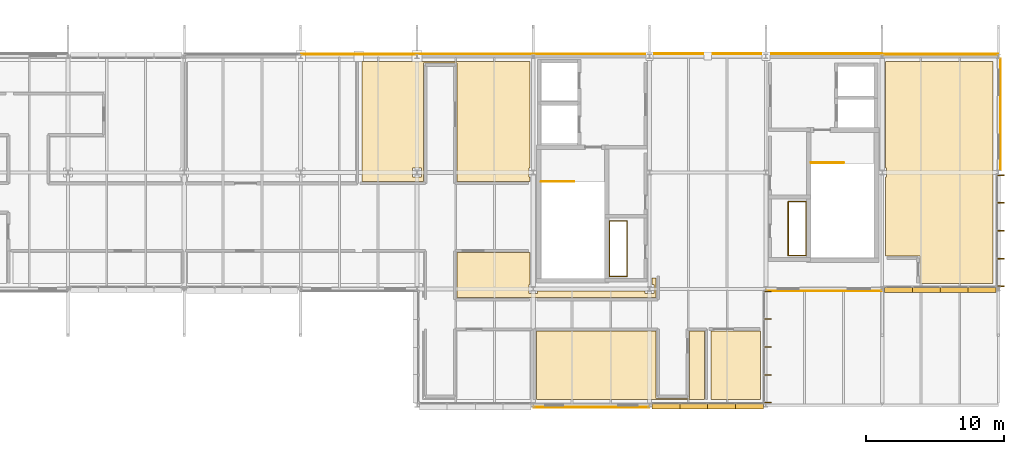
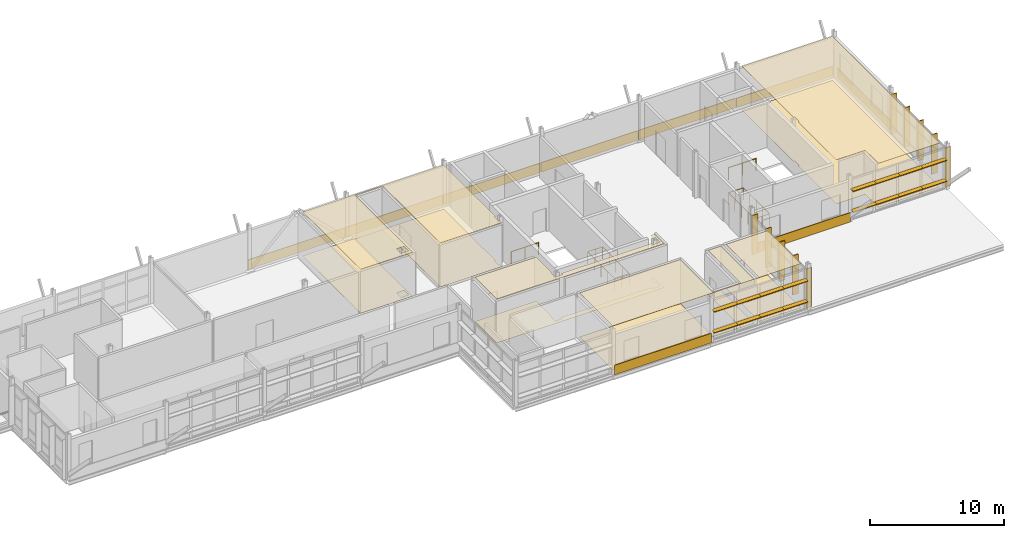
# One storey, part 35 of 35: 26 shading devices, 19 coverings, 4 railings.
"""IFC4 building model written with IfcOpenShell, lengths in metres."""

from ifc_helpers import new_model, si_unit, direction, frame, origin, origin_2d, place, context, subcontext, project, spatial, polyline, rectangle, circle, outline, extrude, material, layer, layer_set, type_object, element, save


model = new_model("IFC4")

# Units and contexts
model_context = context("Model", 3, precision=1e-05, world=origin(), true_north=direction((0.0, 1.0)))
body_context = subcontext(model_context, "Body", "Model", "MODEL_VIEW")
ifc_project = project(units=[si_unit("LENGTHUNIT", "METRE"), si_unit("AREAUNIT", "SQUARE_METRE"), si_unit("VOLUMEUNIT", "CUBIC_METRE"), si_unit("PLANEANGLEUNIT", "RADIAN"), si_unit("MASSUNIT", "GRAM", prefix="KILO")], contexts=[model_context])

# Site, building, storey
site_placement = place(None, origin())
site = spatial("IfcSite", under=ifc_project, at=site_placement, CompositionType="ELEMENT")
building_placement = place(site_placement, origin())
building = spatial("IfcBuilding", under=site, at=building_placement, Name="Mersafa Astral City Hall", CompositionType="ELEMENT")
storey_placement = place(building_placement, frame((0.0, 0.0, 30.14990234375)))
storey = spatial("IfcBuildingStorey", under=building, at=storey_placement, Name="L07", CompositionType="ELEMENT", Elevation=30.14990234375)

# Coverings
ifc_material_1 = material(Name="Cairo Mokattam buff limestone cladding", Category="masonry")
ifc_layer_1 = layer(ifc_material_1, 0.06005859375, Name="Cairo Mokattam buff limestone cladding")
ifc_layer_set_1 = layer_set([ifc_layer_1], Name="Cairo Mokattam buff limestone cladding — ENV-COV-LIMESTONE-60")
covering_type_1 = type_object("IfcCoveringType", Name="ENV-COV-LIMESTONE-60", PredefinedType="CLADDING", material=ifc_layer_set_1)
for number, where, z_axis, x_axis, name in (
    (1, (155.39990234375, 100.637939453125, 0.0), (0.0, 0.0, 1.0), (1.0, 0.0, 0.0), "L07 Cairo buff limestone rainscreen cladding 368"),
    (2, (172.199951171875, 109.04541015625, 0.0), (0.0, 0.0, 1.0), (1.0, 0.0, 0.0), "L07 Cairo buff limestone rainscreen cladding 369"),
):
    element("IfcCovering", number, at=place(storey_placement, frame(where, z_axis=z_axis, x_axis=x_axis)), inside=storey, type_object=covering_type_1, Name=name, PredefinedType="CLADDING", context=body_context, shape_type="SweptSolid", body=[
        extrude(rectangle(XDim=8.323974609375, YDim=0.06005859375, at=origin_2d()), origin(), (0.0, 0.0, 1.0), 0.860107421875),
    ])
covering_1_placement = place(storey_placement, frame((184.947021484375, 121.800048828125, 0.0), z_axis=(0.0, 0.0, 1.0), x_axis=(0.0, 1.0, 0.0)))
element("IfcCovering", 3, at=covering_1_placement, inside=storey, type_object=covering_type_1, Name="L07 Cairo buff limestone rainscreen cladding 370", PredefinedType="CLADDING", context=body_context, shape_type="SweptSolid", body=[
    extrude(rectangle(XDim=8.048095703125, YDim=0.06005859375, at=origin_2d()), origin(), (0.0, 0.0, 1.0), 0.860107421875),
])
for number, where, z_axis, x_axis, name in (
    (4, (180.60009765625, 126.139404296875, 0.0), (0.0, 0.0, 1.0), (-1.0, 0.0, 0.0), "L07 Cairo buff limestone rainscreen cladding 371"),
    (5, (172.199951171875, 126.177001953125, 0.0), (0.0, 0.0, 1.0), (-1.0, 0.0, 0.0), "L07 Cairo buff limestone rainscreen cladding 372"),
    (6, (163.800048828125, 126.16943359375, 0.0), (0.0, 0.0, 1.0), (-1.0, 0.0, 0.0), "L07 Cairo buff limestone rainscreen cladding 373"),
    (7, (155.39990234375, 126.162109375, 0.0), (0.0, 0.0, 1.0), (-1.0, 0.0, 0.0), "L07 Cairo buff limestone rainscreen cladding 374"),
    (8, (147.0, 126.154541015625, 0.0), (0.0, 0.0, 1.0), (-1.0, 0.0, 0.0), "L07 Cairo buff limestone rainscreen cladding 375"),
    (9, (138.60009765625, 126.14697265625, 0.0), (0.0, 0.0, 1.0), (-1.0, 0.0, 0.0), "L07 Cairo buff limestone rainscreen cladding 376"),
):
    element("IfcCovering", number, at=place(storey_placement, frame(where, z_axis=z_axis, x_axis=x_axis)), inside=storey, type_object=covering_type_1, Name=name, PredefinedType="CLADDING", context=body_context, shape_type="SweptSolid", body=[
        extrude(rectangle(XDim=8.323974609375, YDim=0.06005859375, at=origin_2d()), origin(), (0.0, 0.0, 1.0), 0.860107421875),
    ])

# Shading devices
ifc_material_2 = material(Name="Anodised bronze aluminium solar fin", Category="aluminium")
shading_device_type_1 = type_object("IfcShadingDeviceType", Name="ENV-SHD-FIN-500A", PredefinedType="USERDEFINED", material=ifc_material_2)
for number, where, z_axis, x_axis, name in (
    (10, (168.14501953125, 100.991943359375, -0.01513671875), (0.0, 0.0, 1.0), (0.0, 1.0, 0.0), "L07 Vertical bronze solar fin 1725"),
    (11, (168.14501953125, 102.98095703125, -0.01513671875), (0.0, 0.0, 1.0), (0.0, 1.0, 0.0), "L07 Vertical bronze solar fin 1726"),
    (12, (168.14501953125, 105.0, -0.01513671875), (0.0, 0.0, 1.0), (0.0, 1.0, 0.0), "L07 Vertical bronze solar fin 1727"),
    (13, (168.14501953125, 107.01904296875, -0.01513671875), (0.0, 0.0, 1.0), (0.0, 1.0, 0.0), "L07 Vertical bronze solar fin 1728"),
    (14, (168.14501953125, 109.008056640625, -0.01513671875), (0.0, 0.0, 1.0), (0.0, 1.0, 0.0), "L07 Vertical bronze solar fin 1729"),
):
    element("IfcShadingDevice", number, at=place(storey_placement, frame(where, z_axis=z_axis, x_axis=x_axis)), inside=storey, type_object=shading_device_type_1, Name=name, ObjectType="FIN", PredefinedType="USERDEFINED", context=body_context, shape_type="SweptSolid", body=[
        extrude(rectangle(XDim=0.06005859375, YDim=0.5, at=origin_2d()), origin(), (0.0, 0.0, 1.0), 3.572021484375),
    ])
for number, where, z_axis, x_axis, name in (
    (15, (184.945068359375, 109.39208984375, -0.014892578125), (0.0, 0.0, 1.0), (0.0, 1.0, 0.0), "L07 Vertical bronze solar fin 1738"),
    (16, (184.945068359375, 111.381103515625, -0.014892578125), (0.0, 0.0, 1.0), (0.0, 1.0, 0.0), "L07 Vertical bronze solar fin 1739"),
    (17, (184.945068359375, 113.39990234375, -0.014892578125), (0.0, 0.0, 1.0), (0.0, 1.0, 0.0), "L07 Vertical bronze solar fin 1740"),
    (18, (184.945068359375, 115.4189453125, -0.014892578125), (0.0, 0.0, 1.0), (0.0, 1.0, 0.0), "L07 Vertical bronze solar fin 1741"),
    (19, (184.945068359375, 117.407958984375, -0.014892578125), (0.0, 0.0, 1.0), (0.0, 1.0, 0.0), "L07 Vertical bronze solar fin 1742"),
):
    element("IfcShadingDevice", number, at=place(storey_placement, frame(where, z_axis=z_axis, x_axis=x_axis)), inside=storey, type_object=shading_device_type_1, Name=name, ObjectType="FIN", PredefinedType="USERDEFINED", context=body_context, shape_type="SweptSolid", body=[
        extrude(rectangle(XDim=0.06005859375, YDim=0.5, at=origin_2d()), origin(), (0.0, 0.0, 1.0), 3.60009765625),
    ])
ifc_material_3 = material(Name="Kiln-dried cedar timber brise-soleil blade", Category="wood")
shading_device_type_2 = type_object("IfcShadingDeviceType", Name="ENV-SHD-LOUVRE-380", PredefinedType="JALOUSIE", material=ifc_material_3)
shading_device_1_placement = place(storey_placement, frame((160.78662109375, 100.719970703125, 0.81494140625), z_axis=(0.0, 0.0, 1.0), x_axis=(1.0, 0.0, 0.0)))
element("IfcShadingDevice", 20, at=shading_device_1_placement, inside=storey, type_object=shading_device_type_2, Name="L07 Horizontal cedar brise-soleil louvre 1717", PredefinedType="JALOUSIE", context=body_context, shape_type="SweptSolid", body=[
    extrude(rectangle(XDim=2.029052734375, YDim=0.3798828125, at=origin_2d()), origin(), (0.0, 0.0, 1.0), 0.070068359375),
])
for number, where, z_axis, x_axis, name in (
    (21, (162.79052734375, 100.719970703125, 0.81494140625), (0.0, 0.0, 1.0), (1.0, 0.0, 0.0), "L07 Horizontal cedar brise-soleil louvre 1718"),
    (22, (164.8095703125, 100.719970703125, 0.81494140625), (0.0, 0.0, 1.0), (1.0, 0.0, 0.0), "L07 Horizontal cedar brise-soleil louvre 1719"),
):
    element("IfcShadingDevice", number, at=place(storey_placement, frame(where, z_axis=z_axis, x_axis=x_axis)), inside=storey, type_object=shading_device_type_2, Name=name, PredefinedType="JALOUSIE", context=body_context, shape_type="SweptSolid", body=[
        extrude(rectangle(XDim=2.05908203125, YDim=0.3798828125, at=origin_2d()), origin(), (0.0, 0.0, 1.0), 0.070068359375),
    ])
for number, where, z_axis, x_axis, name in (
    (23, (166.8134765625, 100.719970703125, 0.81494140625), (0.0, 0.0, 1.0), (1.0, 0.0, 0.0), "L07 Horizontal cedar brise-soleil louvre 1720"),
    (24, (160.78662109375, 100.719970703125, 2.71484375), (0.0, 0.0, 1.0), (1.0, 0.0, 0.0), "L07 Horizontal cedar brise-soleil louvre 1721"),
):
    element("IfcShadingDevice", number, at=place(storey_placement, frame(where, z_axis=z_axis, x_axis=x_axis)), inside=storey, type_object=shading_device_type_2, Name=name, PredefinedType="JALOUSIE", context=body_context, shape_type="SweptSolid", body=[
        extrude(rectangle(XDim=2.029052734375, YDim=0.3798828125, at=origin_2d()), origin(), (0.0, 0.0, 1.0), 0.070068359375),
    ])
for number, where, z_axis, x_axis, name in (
    (25, (162.79052734375, 100.719970703125, 2.71484375), (0.0, 0.0, 1.0), (1.0, 0.0, 0.0), "L07 Horizontal cedar brise-soleil louvre 1722"),
    (26, (164.8095703125, 100.719970703125, 2.71484375), (0.0, 0.0, 1.0), (1.0, 0.0, 0.0), "L07 Horizontal cedar brise-soleil louvre 1723"),
):
    element("IfcShadingDevice", number, at=place(storey_placement, frame(where, z_axis=z_axis, x_axis=x_axis)), inside=storey, type_object=shading_device_type_2, Name=name, PredefinedType="JALOUSIE", context=body_context, shape_type="SweptSolid", body=[
        extrude(rectangle(XDim=2.05908203125, YDim=0.3798828125, at=origin_2d()), origin(), (0.0, 0.0, 1.0), 0.070068359375),
    ])
for number, where, z_axis, x_axis, name in (
    (27, (166.8134765625, 100.719970703125, 2.71484375), (0.0, 0.0, 1.0), (1.0, 0.0, 0.0), "L07 Horizontal cedar brise-soleil louvre 1724"),
    (28, (177.58642578125, 109.1201171875, 0.81494140625), (0.0, 0.0, 1.0), (1.0, 0.0, 0.0), "L07 Horizontal cedar brise-soleil louvre 1730"),
):
    element("IfcShadingDevice", number, at=place(storey_placement, frame(where, z_axis=z_axis, x_axis=x_axis)), inside=storey, type_object=shading_device_type_2, Name=name, PredefinedType="JALOUSIE", context=body_context, shape_type="SweptSolid", body=[
        extrude(rectangle(XDim=2.029052734375, YDim=0.3798828125, at=origin_2d()), origin(), (0.0, 0.0, 1.0), 0.070068359375),
    ])
for number, where, z_axis, x_axis, name in (
    (29, (179.590576171875, 109.1201171875, 0.81494140625), (0.0, 0.0, 1.0), (1.0, 0.0, 0.0), "L07 Horizontal cedar brise-soleil louvre 1731"),
    (30, (181.609619140625, 109.1201171875, 0.81494140625), (0.0, 0.0, 1.0), (1.0, 0.0, 0.0), "L07 Horizontal cedar brise-soleil louvre 1732"),
):
    element("IfcShadingDevice", number, at=place(storey_placement, frame(where, z_axis=z_axis, x_axis=x_axis)), inside=storey, type_object=shading_device_type_2, Name=name, PredefinedType="JALOUSIE", context=body_context, shape_type="SweptSolid", body=[
        extrude(rectangle(XDim=2.05908203125, YDim=0.3798828125, at=origin_2d()), origin(), (0.0, 0.0, 1.0), 0.070068359375),
    ])
for number, where, z_axis, x_axis, name in (
    (31, (183.613525390625, 109.1201171875, 0.81494140625), (0.0, 0.0, 1.0), (1.0, 0.0, 0.0), "L07 Horizontal cedar brise-soleil louvre 1733"),
    (32, (177.58642578125, 109.1201171875, 2.71484375), (0.0, 0.0, 1.0), (1.0, 0.0, 0.0), "L07 Horizontal cedar brise-soleil louvre 1734"),
):
    element("IfcShadingDevice", number, at=place(storey_placement, frame(where, z_axis=z_axis, x_axis=x_axis)), inside=storey, type_object=shading_device_type_2, Name=name, PredefinedType="JALOUSIE", context=body_context, shape_type="SweptSolid", body=[
        extrude(rectangle(XDim=2.029052734375, YDim=0.3798828125, at=origin_2d()), origin(), (0.0, 0.0, 1.0), 0.070068359375),
    ])
for number, where, z_axis, x_axis, name in (
    (33, (179.590576171875, 109.1201171875, 2.71484375), (0.0, 0.0, 1.0), (1.0, 0.0, 0.0), "L07 Horizontal cedar brise-soleil louvre 1735"),
    (34, (181.609619140625, 109.1201171875, 2.71484375), (0.0, 0.0, 1.0), (1.0, 0.0, 0.0), "L07 Horizontal cedar brise-soleil louvre 1736"),
):
    element("IfcShadingDevice", number, at=place(storey_placement, frame(where, z_axis=z_axis, x_axis=x_axis)), inside=storey, type_object=shading_device_type_2, Name=name, PredefinedType="JALOUSIE", context=body_context, shape_type="SweptSolid", body=[
        extrude(rectangle(XDim=2.05908203125, YDim=0.3798828125, at=origin_2d()), origin(), (0.0, 0.0, 1.0), 0.070068359375),
    ])
shading_device_2_placement = place(storey_placement, frame((183.613525390625, 109.1201171875, 2.71484375), z_axis=(0.0, 0.0, 1.0), x_axis=(1.0, 0.0, 0.0)))
element("IfcShadingDevice", 35, at=shading_device_2_placement, inside=storey, type_object=shading_device_type_2, Name="L07 Horizontal cedar brise-soleil louvre 1737", PredefinedType="JALOUSIE", context=body_context, shape_type="SweptSolid", body=[
    extrude(rectangle(XDim=2.029052734375, YDim=0.3798828125, at=origin_2d()), origin(), (0.0, 0.0, 1.0), 0.070068359375),
])

# Railings
ifc_material_4 = material(Name="Painted architectural steel stair guard balustrade", Category="steel")
railing_type = type_object("IfcRailingType", Name="GUARD-RAIL", PredefinedType="BALUSTRADE", material=ifc_material_4)
railing_1_placement = place(storey_placement, frame((151.780029296875, 116.949951171875, 0.0)))
element("IfcRailing", 36, at=railing_1_placement, inside=storey, type_object=railing_type, Name="L07 ST1 top well guard 1", PredefinedType="BALUSTRADE", context=body_context, shape_type="SweptSolid", body=[
    extrude(circle(Radius=0.02392578125, at=origin_2d()), frame((0.0, 0.0, 1.09619140625), z_axis=(1.0, 0.0, 0.0), x_axis=(0.0, 1.0, 0.0)), (0.0, 0.0, 1.0), 2.35986328125),
    extrude(circle(Radius=0.02099609375, at=origin_2d()), origin(), (0.0, 0.0, 1.0), 1.072021484375),
    extrude(circle(Radius=0.02099609375, at=origin_2d()), frame((1.179931640625, 0.0, 0.0)), (0.0, 0.0, 1.0), 1.072021484375),
    extrude(circle(Radius=0.02099609375, at=origin_2d()), frame((2.35986328125, 0.0, 0.0)), (0.0, 0.0, 1.0), 1.072021484375),
])
railing_2_placement = place(storey_placement, frame((171.260009765625, 118.31005859375, 0.0)))
element("IfcRailing", 37, at=railing_2_placement, inside=storey, type_object=railing_type, Name="L07 ST2 top well guard 1", PredefinedType="BALUSTRADE", context=body_context, shape_type="SweptSolid", body=[
    extrude(circle(Radius=0.02392578125, at=origin_2d()), frame((0.0, 0.0, 1.09619140625), z_axis=(1.0, 0.0, 0.0), x_axis=(0.0, 1.0, 0.0)), (0.0, 0.0, 1.0), 2.360107421875),
    extrude(circle(Radius=0.02099609375, at=origin_2d()), origin(), (0.0, 0.0, 1.0), 1.072021484375),
    extrude(circle(Radius=0.02099609375, at=origin_2d()), frame((1.18017578125, 0.0, 0.0)), (0.0, 0.0, 1.0), 1.072021484375),
    extrude(circle(Radius=0.02099609375, at=origin_2d()), frame((2.360107421875, 0.0, 0.0)), (0.0, 0.0, 1.0), 1.072021484375),
])
railing_3_placement = place(storey_placement, frame((156.699951171875, 110.10009765625, 0.0)))
element("IfcRailing", 38, at=railing_3_placement, inside=storey, type_object=railing_type, Name="L07 K1 MEP Riser Shaft Guard", PredefinedType="BALUSTRADE", context=body_context, shape_type="SweptSolid", body=[
    extrude(circle(Radius=0.02392578125, at=origin_2d()), frame((0.0, 0.0, 1.09619140625), z_axis=(1.0, 0.0, 0.0), x_axis=(0.0, 1.0, 0.0)), (0.0, 0.0, 1.0), 1.280029296875),
    extrude(circle(Radius=0.02392578125, at=origin_2d()), frame((1.280029296875, 0.0, 1.09619140625), z_axis=(0.0, 1.0, 0.0), x_axis=(-1.0, 0.0, 0.0)), (0.0, 0.0, 1.0), 4.0),
    extrude(circle(Radius=0.02392578125, at=origin_2d()), frame((1.280029296875, 4.0, 1.09619140625), z_axis=(-1.0, 0.0, 0.0), x_axis=(0.0, -1.0, 0.0)), (0.0, 0.0, 1.0), 1.280029296875),
    extrude(circle(Radius=0.02392578125, at=origin_2d()), frame((0.0, 4.0, 1.09619140625), z_axis=(0.0, -1.0, 0.0), x_axis=(1.0, 0.0, 0.0)), (0.0, 0.0, 1.0), 4.0),
    extrude(circle(Radius=0.02099609375, at=origin_2d()), origin(), (0.0, 0.0, 1.0), 1.072021484375),
    extrude(circle(Radius=0.02099609375, at=origin_2d()), frame((0.64013671875, 0.0, 0.0)), (0.0, 0.0, 1.0), 1.072021484375),
    extrude(circle(Radius=0.02099609375, at=origin_2d()), frame((1.280029296875, 0.0, 0.0)), (0.0, 0.0, 1.0), 1.072021484375),
    extrude(circle(Radius=0.02099609375, at=origin_2d()), frame((1.280029296875, 1.0, 0.0)), (0.0, 0.0, 1.0), 1.072021484375),
    extrude(circle(Radius=0.02099609375, at=origin_2d()), frame((1.280029296875, 2.0, 0.0)), (0.0, 0.0, 1.0), 1.072021484375),
    extrude(circle(Radius=0.02099609375, at=origin_2d()), frame((1.280029296875, 3.0, 0.0)), (0.0, 0.0, 1.0), 1.072021484375),
    extrude(circle(Radius=0.02099609375, at=origin_2d()), frame((1.280029296875, 4.0, 0.0)), (0.0, 0.0, 1.0), 1.072021484375),
    extrude(circle(Radius=0.02099609375, at=origin_2d()), frame((0.64013671875, 4.0, 0.0)), (0.0, 0.0, 1.0), 1.072021484375),
    extrude(circle(Radius=0.02099609375, at=origin_2d()), frame((0.0, 4.0, 0.0)), (0.0, 0.0, 1.0), 1.072021484375),
    extrude(circle(Radius=0.02099609375, at=origin_2d()), frame((0.0, 3.0, 0.0)), (0.0, 0.0, 1.0), 1.072021484375),
    extrude(circle(Radius=0.02099609375, at=origin_2d()), frame((0.0, 2.0, 0.0)), (0.0, 0.0, 1.0), 1.072021484375),
    extrude(circle(Radius=0.02099609375, at=origin_2d()), frame((0.0, 1.0, 0.0)), (0.0, 0.0, 1.0), 1.072021484375),
])
railing_4_placement = place(storey_placement, frame((169.6201171875, 111.60009765625, 0.0)))
element("IfcRailing", 39, at=railing_4_placement, inside=storey, type_object=railing_type, Name="L07 K2 MEP Riser Shaft Guard", PredefinedType="BALUSTRADE", context=body_context, shape_type="SweptSolid", body=[
    extrude(circle(Radius=0.02392578125, at=origin_2d()), frame((0.0, 0.0, 1.09619140625), z_axis=(1.0, 0.0, 0.0), x_axis=(0.0, 1.0, 0.0)), (0.0, 0.0, 1.0), 1.27978515625),
    extrude(circle(Radius=0.02392578125, at=origin_2d()), frame((1.27978515625, 0.0, 1.09619140625), z_axis=(0.0, 1.0, 0.0), x_axis=(-1.0, 0.0, 0.0)), (0.0, 0.0, 1.0), 3.89990234375),
    extrude(circle(Radius=0.02392578125, at=origin_2d()), frame((1.27978515625, 3.89990234375, 1.09619140625), z_axis=(-1.0, 0.0, 0.0), x_axis=(0.0, -1.0, 0.0)), (0.0, 0.0, 1.0), 1.27978515625),
    extrude(circle(Radius=0.02392578125, at=origin_2d()), frame((0.0, 3.89990234375, 1.09619140625), z_axis=(0.0, -1.0, 0.0), x_axis=(1.0, 0.0, 0.0)), (0.0, 0.0, 1.0), 3.89990234375),
    extrude(circle(Radius=0.02099609375, at=origin_2d()), origin(), (0.0, 0.0, 1.0), 1.072021484375),
    extrude(circle(Radius=0.02099609375, at=origin_2d()), frame((0.639892578125, 0.0, 0.0)), (0.0, 0.0, 1.0), 1.072021484375),
    extrude(circle(Radius=0.02099609375, at=origin_2d()), frame((1.27978515625, 0.0, 0.0)), (0.0, 0.0, 1.0), 1.072021484375),
    extrude(circle(Radius=0.02099609375, at=origin_2d()), frame((1.27978515625, 0.97509765625, 0.0)), (0.0, 0.0, 1.0), 1.072021484375),
    extrude(circle(Radius=0.02099609375, at=origin_2d()), frame((1.27978515625, 1.949951171875, 0.0)), (0.0, 0.0, 1.0), 1.072021484375),
    extrude(circle(Radius=0.02099609375, at=origin_2d()), frame((1.27978515625, 2.9248046875, 0.0)), (0.0, 0.0, 1.0), 1.072021484375),
    extrude(circle(Radius=0.02099609375, at=origin_2d()), frame((1.27978515625, 3.89990234375, 0.0)), (0.0, 0.0, 1.0), 1.072021484375),
    extrude(circle(Radius=0.02099609375, at=origin_2d()), frame((0.639892578125, 3.89990234375, 0.0)), (0.0, 0.0, 1.0), 1.072021484375),
    extrude(circle(Radius=0.02099609375, at=origin_2d()), frame((0.0, 3.89990234375, 0.0)), (0.0, 0.0, 1.0), 1.072021484375),
    extrude(circle(Radius=0.02099609375, at=origin_2d()), frame((0.0, 2.9248046875, 0.0)), (0.0, 0.0, 1.0), 1.072021484375),
    extrude(circle(Radius=0.02099609375, at=origin_2d()), frame((0.0, 1.949951171875, 0.0)), (0.0, 0.0, 1.0), 1.072021484375),
    extrude(circle(Radius=0.02099609375, at=origin_2d()), frame((0.0, 0.97509765625, 0.0)), (0.0, 0.0, 1.0), 1.072021484375),
])

# Coverings
ifc_material_5 = material(Name="Perforated acoustic gypsum board ceiling", Category="gypsum")
ifc_layer_2 = layer(ifc_material_5, 0.02490234375, Name="Perforated acoustic gypsum board ceiling")
ifc_layer_set_2 = layer_set([ifc_layer_2], Name="Perforated acoustic gypsum board ceiling — INT-COV-CEIL-25")
covering_type_2 = type_object("IfcCoveringType", Name="INT-COV-CEIL-25", PredefinedType="CEILING", material=ifc_layer_set_2)
covering_2_placement = place(storey_placement, frame((0.0, 0.0, 3.9931640625)))
element("IfcCovering", 40, at=covering_2_placement, inside=storey, type_object=covering_type_2, Name="L07 Civic Broadcast & Briefing Studio L07-03 acoustic ceiling", PredefinedType="CEILING", context=body_context, shape_type="SweptSolid", body=[
    extrude(outline(polyline([(150.969970703125, 116.9599609375), (145.679931640625, 116.9599609375), (145.679931640625, 125.52001953125), (143.280029296875, 125.52001953125), (143.280029296875, 116.9599609375), (138.830078125, 116.9599609375), (138.830078125, 125.60009765625), (150.969970703125, 125.60009765625), (150.969970703125, 117.919921875), (150.8798828125, 117.919921875), (150.8798828125, 117.280029296875), (150.969970703125, 117.280029296875), (150.969970703125, 116.9599609375)]), holes=[polyline([(142.47998046875, 117.919921875), (142.47998046875, 117.280029296875), (143.1201171875, 117.280029296875), (143.1201171875, 117.919921875), (142.47998046875, 117.919921875)])]), origin(), (0.0, 0.0, 1.0), 0.02490234375),
])
covering_3_placement = place(storey_placement, frame((0.0, 0.0, 3.9931640625)))
element("IfcCovering", 41, at=covering_3_placement, inside=storey, type_object=covering_type_2, Name="L07 Upper Telemetry & Weather Salon L07-05 acoustic ceiling", PredefinedType="CEILING", context=body_context, shape_type="SweptSolid", body=[
    extrude(outline(polyline([(160.080078125, 106.159912109375), (160.080078125, 101.280029296875), (162.47998046875, 101.280029296875), (162.47998046875, 106.159912109375), (163.570068359375, 106.159912109375), (163.570068359375, 101.199951171875), (151.429931640625, 101.199951171875), (151.429931640625, 106.159912109375), (160.080078125, 106.159912109375)])), origin(), (0.0, 0.0, 1.0), 0.02490234375),
])
covering_4_placement = place(storey_placement, frame((0.0, 0.0, 3.9931640625)))
element("IfcCovering", 42, at=covering_4_placement, inside=storey, type_object=covering_type_2, Name="L07 Civic Broadcast & Briefing Studio L07-10 acoustic ceiling", PredefinedType="CEILING", context=body_context, shape_type="SweptSolid", body=[
    extrude(outline(polyline([(167.60009765625, 106.159912109375), (167.60009765625, 101.199951171875), (164.030029296875, 101.199951171875), (164.030029296875, 106.159912109375), (167.60009765625, 106.159912109375)])), origin(), (0.0, 0.0, 1.0), 0.02490234375),
])
covering_5_placement = place(storey_placement, frame((0.0, 0.0, 3.9931640625)))
element("IfcCovering", 43, at=covering_5_placement, inside=storey, type_object=covering_type_2, Name="L07 Mayoral Constitutional Library L07-11 acoustic ceiling", PredefinedType="CEILING", context=body_context, shape_type="SweptSolid", body=[
    extrude(outline(polyline([(150.969970703125, 111.81005859375), (150.969970703125, 109.52001953125), (150.8798828125, 109.52001953125), (150.8798828125, 108.8798828125), (151.52001953125, 108.8798828125), (151.52001953125, 109.0400390625), (159.280029296875, 109.0400390625), (159.280029296875, 108.8798828125), (159.919921875, 108.8798828125), (159.919921875, 109.52001953125), (159.760009765625, 109.52001953125), (159.760009765625, 109.97998046875), (160.080078125, 109.97998046875), (160.080078125, 108.56005859375), (145.679931640625, 108.56005859375), (145.679931640625, 111.81005859375), (150.969970703125, 111.81005859375)])), origin(), (0.0, 0.0, 1.0), 0.02490234375),
])
ifc_material_6 = material(Name="Slatted cedar timber acoustic baffle ceiling", Category="wood")
ifc_layer_3 = layer(ifc_material_6, 0.034912109375, Name="Slatted cedar timber acoustic baffle ceiling")
ifc_layer_set_3 = layer_set([ifc_layer_3], Name="Slatted cedar timber acoustic baffle ceiling — INT-COV-CEIL-35")
covering_type_3 = type_object("IfcCoveringType", Name="INT-COV-CEIL-35", PredefinedType="CEILING", material=ifc_layer_set_3)
covering_6_placement = place(storey_placement, frame((0.0, 0.0, 3.983154296875)))
element("IfcCovering", 44, at=covering_6_placement, inside=storey, type_object=covering_type_3, Name="L07 Astral Observatory Civic Gallery L07-01 acoustic ceiling", PredefinedType="CEILING", context=body_context, shape_type="SweptSolid", body=[
    extrude(outline(polyline([(176.719970703125, 117.280029296875), (176.719970703125, 117.919921875), (176.6298828125, 117.919921875), (176.6298828125, 125.60009765625), (184.39990234375, 125.60009765625), (184.39990234375, 109.60009765625), (179.1201171875, 109.60009765625), (179.1201171875, 111.56005859375), (176.6298828125, 111.56005859375), (176.6298828125, 117.280029296875), (176.719970703125, 117.280029296875)])), origin(), (0.0, 0.0, 1.0), 0.034912109375),
])
ifc_material_7 = material(Name="Heavy-duty woven acoustic carpet tile", Category="finish")
ifc_layer_4 = layer(ifc_material_7, 0.014892578125, Name="Heavy-duty woven acoustic carpet tile")
ifc_layer_set_4 = layer_set([ifc_layer_4], Name="Heavy-duty woven acoustic carpet tile — INT-COV-FLR-15")
covering_type_4 = type_object("IfcCoveringType", Name="INT-COV-FLR-15", PredefinedType="FLOORING", material=ifc_layer_set_4)
covering_7_placement = place(storey_placement, frame((0.0, 0.0, -0.00146484375)))
element("IfcCovering", 45, at=covering_7_placement, inside=storey, type_object=covering_type_4, Name="L07 Astral Observatory Civic Gallery L07-01 architectural flooring", PredefinedType="FLOORING", context=body_context, shape_type="SweptSolid", body=[
    extrude(outline(polyline([(176.719970703125, 117.280029296875), (176.719970703125, 117.919921875), (176.6298828125, 117.919921875), (176.6298828125, 125.60009765625), (184.39990234375, 125.60009765625), (184.39990234375, 109.60009765625), (179.1201171875, 109.60009765625), (179.1201171875, 111.56005859375), (176.6298828125, 111.56005859375), (176.6298828125, 117.280029296875), (176.719970703125, 117.280029296875)])), origin(), (0.0, 0.0, 1.0), 0.014892578125),
])
covering_8_placement = place(storey_placement, frame((0.0, 0.0, -0.00146484375)))
element("IfcCovering", 46, at=covering_8_placement, inside=storey, type_object=covering_type_4, Name="L07 Civic Broadcast & Briefing Studio L07-03 architectural flooring", PredefinedType="FLOORING", context=body_context, shape_type="SweptSolid", body=[
    extrude(outline(polyline([(150.969970703125, 116.9599609375), (145.679931640625, 116.9599609375), (145.679931640625, 125.52001953125), (143.280029296875, 125.52001953125), (143.280029296875, 116.9599609375), (138.830078125, 116.9599609375), (138.830078125, 125.60009765625), (150.969970703125, 125.60009765625), (150.969970703125, 117.919921875), (150.8798828125, 117.919921875), (150.8798828125, 117.280029296875), (150.969970703125, 117.280029296875), (150.969970703125, 116.9599609375)]), holes=[polyline([(142.47998046875, 117.919921875), (142.47998046875, 117.280029296875), (143.1201171875, 117.280029296875), (143.1201171875, 117.919921875), (142.47998046875, 117.919921875)])]), origin(), (0.0, 0.0, 1.0), 0.014892578125),
])
covering_9_placement = place(storey_placement, frame((0.0, 0.0, -0.00146484375)))
element("IfcCovering", 47, at=covering_9_placement, inside=storey, type_object=covering_type_4, Name="L07 Upper Telemetry & Weather Salon L07-05 architectural flooring", PredefinedType="FLOORING", context=body_context, shape_type="SweptSolid", body=[
    extrude(outline(polyline([(160.080078125, 106.159912109375), (160.080078125, 101.280029296875), (162.47998046875, 101.280029296875), (162.47998046875, 106.159912109375), (163.570068359375, 106.159912109375), (163.570068359375, 101.199951171875), (151.429931640625, 101.199951171875), (151.429931640625, 106.159912109375), (160.080078125, 106.159912109375)])), origin(), (0.0, 0.0, 1.0), 0.014892578125),
])
covering_10_placement = place(storey_placement, frame((0.0, 0.0, -0.00146484375)))
element("IfcCovering", 48, at=covering_10_placement, inside=storey, type_object=covering_type_4, Name="L07 Civic Broadcast & Briefing Studio L07-10 architectural flooring", PredefinedType="FLOORING", context=body_context, shape_type="SweptSolid", body=[
    extrude(outline(polyline([(167.60009765625, 106.159912109375), (167.60009765625, 101.199951171875), (164.030029296875, 101.199951171875), (164.030029296875, 106.159912109375), (167.60009765625, 106.159912109375)])), origin(), (0.0, 0.0, 1.0), 0.014892578125),
])
covering_11_placement = place(storey_placement, frame((0.0, 0.0, -0.00146484375)))
element("IfcCovering", 49, at=covering_11_placement, inside=storey, type_object=covering_type_4, Name="L07 Mayoral Constitutional Library L07-11 architectural flooring", PredefinedType="FLOORING", context=body_context, shape_type="SweptSolid", body=[
    extrude(outline(polyline([(150.969970703125, 111.81005859375), (150.969970703125, 109.52001953125), (150.8798828125, 109.52001953125), (150.8798828125, 108.8798828125), (151.52001953125, 108.8798828125), (151.52001953125, 109.0400390625), (159.280029296875, 109.0400390625), (159.280029296875, 108.8798828125), (159.919921875, 108.8798828125), (159.919921875, 109.52001953125), (159.760009765625, 109.52001953125), (159.760009765625, 109.97998046875), (160.080078125, 109.97998046875), (160.080078125, 108.56005859375), (145.679931640625, 108.56005859375), (145.679931640625, 111.81005859375), (150.969970703125, 111.81005859375)])), origin(), (0.0, 0.0, 1.0), 0.014892578125),
])

save(model, "model.ifc")
